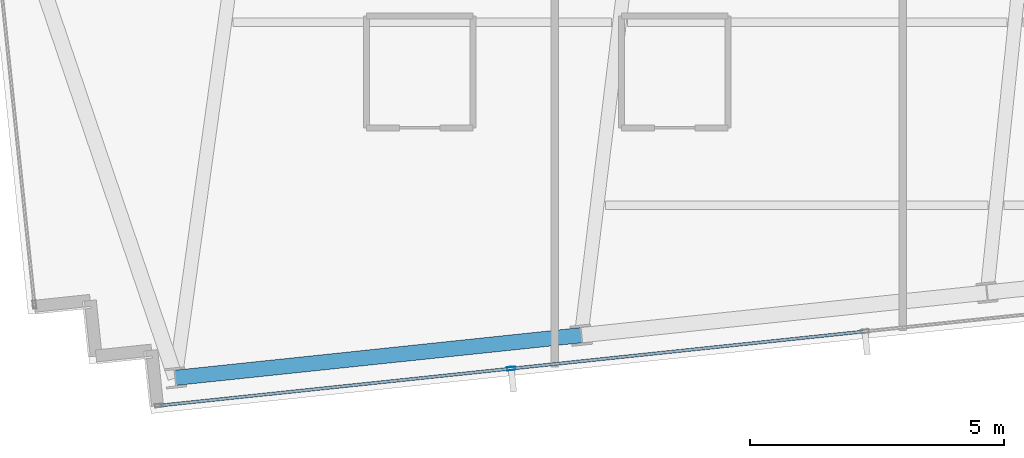
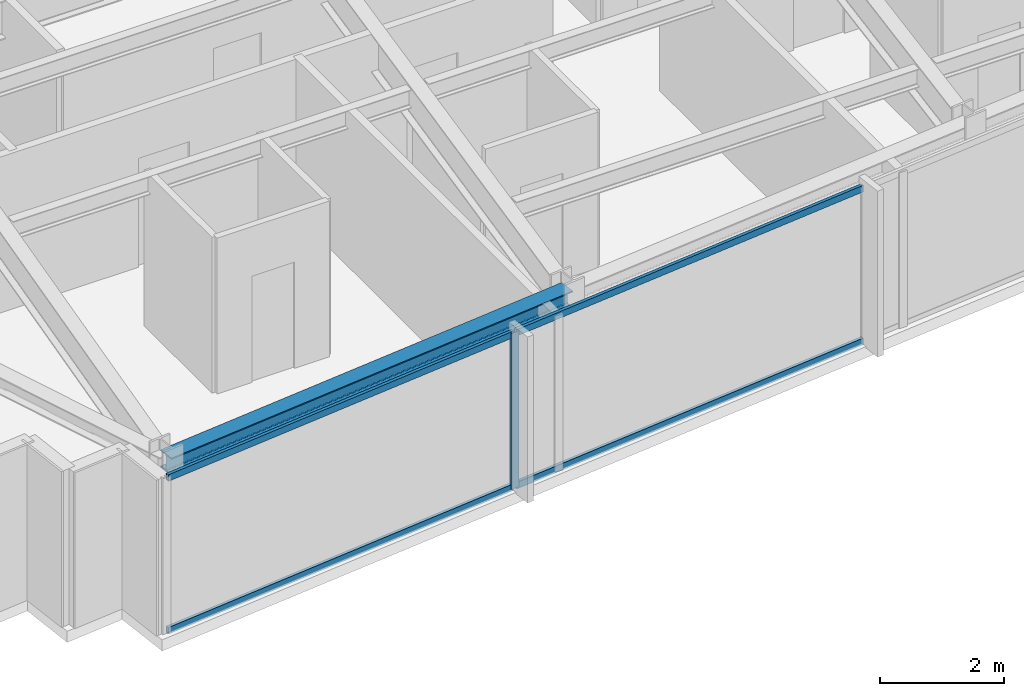
# One storey, part 3 of 33: 5 members, 1 beam, 1 element without a shape of its own.
"""IFC4 building model written with IfcOpenShell, lengths in metres."""

from ifc_helpers import new_model, si_unit, direction, frame, origin, origin_2d, place, context, subcontext, project, spatial, hollow_rectangle, i_section, extrude, material, material_profile, profile_set, type_object, element, aggregate, save


model = new_model("IFC4")

# Units and contexts
model_context = context("Model", 3, precision=1e-05, world=origin(), true_north=direction((0.0, 1.0)))
body_context = subcontext(model_context, "Body", "Model", "MODEL_VIEW")
ifc_project = project(units=[si_unit("LENGTHUNIT", "METRE"), si_unit("AREAUNIT", "SQUARE_METRE"), si_unit("VOLUMEUNIT", "CUBIC_METRE"), si_unit("PLANEANGLEUNIT", "RADIAN"), si_unit("MASSUNIT", "GRAM", prefix="KILO")], contexts=[model_context])

# Site, building, storey
site_placement = place(None, origin())
site = spatial("IfcSite", under=ifc_project, at=site_placement, CompositionType="ELEMENT")
building_placement = place(site_placement, origin())
building = spatial("IfcBuilding", under=site, at=building_placement, Name="Yelkora Congress Tower", CompositionType="ELEMENT")
storey_placement = place(building_placement, frame((0.0, 0.0, 227.60009765625)))
storey = spatial("IfcBuildingStorey", under=building, at=storey_placement, Name="L63", CompositionType="ELEMENT", Elevation=227.60009765625)

# Beam
ifc_material_1 = material(Name="Steel S355J2", Category="steel")
ifc_material_profile_1 = material_profile(ifc_material_1, i_section(OverallWidth=0.300048828125, OverallDepth=0.340087890625, WebThickness=0.011962890625, FlangeThickness=0.021484375, FilletRadius=0.027099609375, at=origin_2d()), Name="HEB 340")
ifc_profile_set_1 = profile_set([ifc_material_profile_1], Name="Steel S355J2")
beam_type = type_object("IfcBeamType", Name="BM-SPAN-HEB340", PredefinedType="SPANDREL", material=ifc_profile_set_1)
beam_placement = place(storey_placement, frame((21.299072265625, 12.678466796875, 2.909912109375), z_axis=(0.994520097542, 0.104545567032, 0.0), x_axis=(-0.104545567032, 0.994520097542, 0.0)))
element("IfcBeam", 1, at=beam_placement, inside=storey, type_object=beam_type, Name="L63 Perimeter Beam 3", PredefinedType="SPANDREL", context=body_context, shape_type="SweptSolid", body=[
    extrude(i_section(OverallWidth=0.300048828125, OverallDepth=0.340087890625, WebThickness=0.011962890625, FlangeThickness=0.021484375, FilletRadius=0.027099609375, at=origin_2d()), origin(), (0.0, 0.0, 1.0), 8.033203125),
])

# Curtain wall, members
ifc_material_2 = material(Name="Anodised aluminium and insulated glass", Category="aluminium")
curtain_wall_type = type_object("IfcCurtainWallType", Name="CW-SYS-B4", PredefinedType="NOTDEFINED", material=ifc_material_2)
curtain_wall_placement = place(storey_placement, origin())
curtain_wall = element("IfcCurtainWall", 2, at=curtain_wall_placement, inside=storey, type_object=curtain_wall_type, Name="L63 Unitised Curtain Wall 20", PredefinedType="NOTDEFINED")
ifc_material_3 = material(Name="Anodised aluminium 6063-T6", Category="aluminium")
ifc_material_profile_2 = material_profile(ifc_material_3, hollow_rectangle(XDim=0.06494140625, YDim=0.159912109375, WallThickness=0.00390625, at=origin_2d()), Name="ALU 65x160x4")
ifc_profile_set_2 = profile_set([ifc_material_profile_2], Name="Anodised aluminium 6063-T6")
member_type_1 = type_object("IfcMemberType", Name="MEM-ML-B4", PredefinedType="MULLION", material=ifc_profile_set_2)
member_1_placement = place(storey_placement, frame((27.9091796875, 12.860595703125, 0.0), z_axis=(0.0, 0.0, 1.0), x_axis=(0.104526664994, -0.994522084373, 0.0)))
member_1 = element("IfcMember", 3, at=member_1_placement, type_object=member_type_1, Name="CW-B4 mullion 7", PredefinedType="MULLION", context=body_context, shape_type="SweptSolid", body=[
    extrude(hollow_rectangle(XDim=0.06494140625, YDim=0.159912109375, WallThickness=0.00390625, at=origin_2d()), origin(), (0.0, 0.0, 1.0), 3.079833984375),
])
ifc_material_profile_3 = material_profile(ifc_material_3, hollow_rectangle(XDim=0.06005859375, YDim=0.1298828125, WallThickness=0.00390625, at=origin_2d()), Name="ALU 60x130x4")
ifc_profile_set_3 = profile_set([ifc_material_profile_3], Name="Anodised aluminium 6063-T6")
member_type_2 = type_object("IfcMemberType", Name="MEM-TR-B4", PredefinedType="USERDEFINED", material=ifc_profile_set_3)
member_2_placement = place(storey_placement, frame((34.84130859375, 13.589111328125, 0.02978515625), z_axis=(-0.994519904787, -0.104547400648, 0.0), x_axis=(0.104547400648, -0.994519904787, 0.0)))
member_2 = element("IfcMember", 4, at=member_2_placement, type_object=member_type_2, Name="CW-B4 transom 6.1", ObjectType="TRANSOM", PredefinedType="USERDEFINED", context=body_context, shape_type="SweptSolid", body=[
    extrude(hollow_rectangle(XDim=0.06005859375, YDim=0.1298828125, WallThickness=0.00390625, at=origin_2d()), origin(), (0.0, 0.0, 1.0), 6.93798828125),
])
member_3_placement = place(storey_placement, frame((34.84130859375, 13.589111328125, 3.0498046875), z_axis=(-0.994519904787, -0.104547400648, 0.0), x_axis=(0.104547400648, -0.994519904787, 0.0)))
member_3 = element("IfcMember", 5, at=member_3_placement, type_object=member_type_2, Name="CW-B4 transom 6.2", ObjectType="TRANSOM", PredefinedType="USERDEFINED", context=body_context, shape_type="SweptSolid", body=[
    extrude(hollow_rectangle(XDim=0.06005859375, YDim=0.1298828125, WallThickness=0.00390625, at=origin_2d()), origin(), (0.0, 0.0, 1.0), 6.93798828125),
])
member_4_placement = place(storey_placement, frame((27.876708984375, 12.857177734375, 0.02978515625), z_axis=(-0.994519973075, -0.104546751053, 0.0), x_axis=(0.104546751053, -0.994519973075, 0.0)))
member_4 = element("IfcMember", 6, at=member_4_placement, type_object=member_type_2, Name="CW-B4 transom 7.1", ObjectType="TRANSOM", PredefinedType="USERDEFINED", context=body_context, shape_type="SweptSolid", body=[
    extrude(hollow_rectangle(XDim=0.06005859375, YDim=0.1298828125, WallThickness=0.00390625, at=origin_2d()), origin(), (0.0, 0.0, 1.0), 6.9052734375),
])
member_5_placement = place(storey_placement, frame((27.876708984375, 12.857177734375, 3.0498046875), z_axis=(-0.994519973075, -0.104546751053, 0.0), x_axis=(0.104546751053, -0.994519973075, 0.0)))
member_5 = element("IfcMember", 7, at=member_5_placement, type_object=member_type_2, Name="CW-B4 transom 7.2", ObjectType="TRANSOM", PredefinedType="USERDEFINED", context=body_context, shape_type="SweptSolid", body=[
    extrude(hollow_rectangle(XDim=0.06005859375, YDim=0.1298828125, WallThickness=0.00390625, at=origin_2d()), origin(), (0.0, 0.0, 1.0), 6.9052734375),
])
aggregate(curtain_wall, [member_1, member_2, member_3, member_4, member_5])

save(model, "model.ifc")
